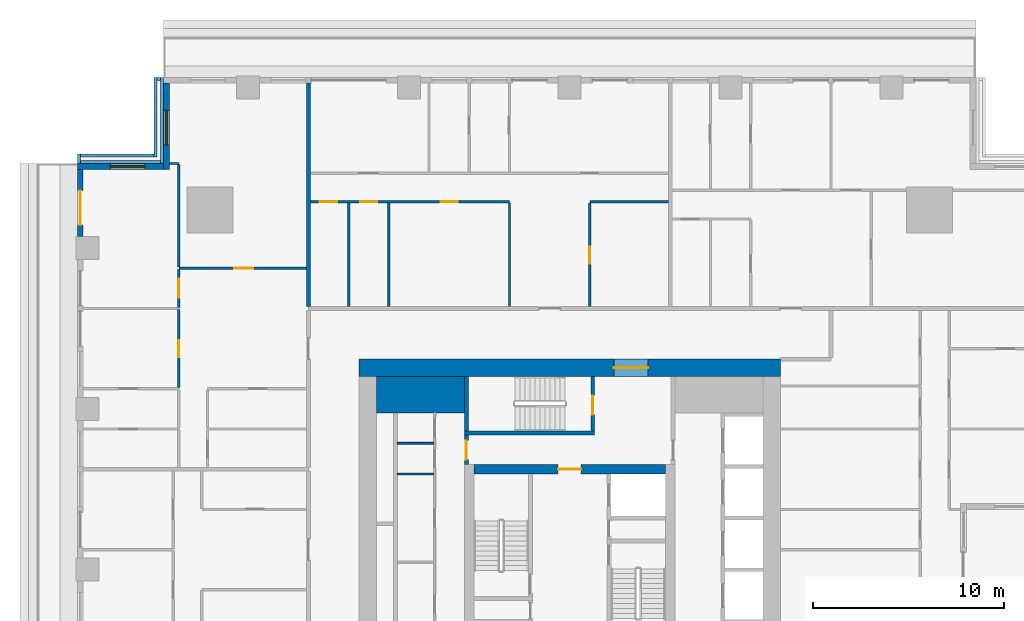
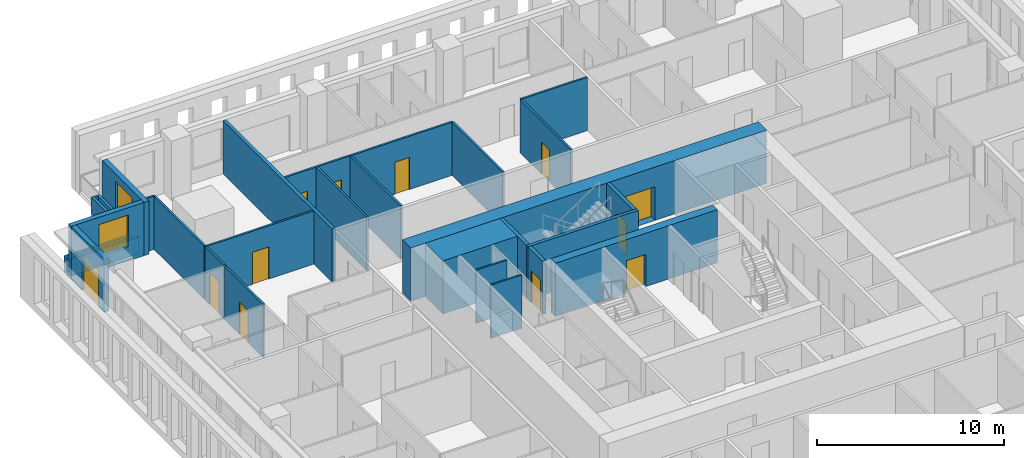
# One storey, part 8 of 17: 30 walls, 12 doors, 2 windows, 14 openings.
"""IFC4 building model written with IfcOpenShell, lengths in metres."""

from ifc_helpers import new_model, si_unit, direction, frame, frame_2d, origin, place, context, subcontext, project, spatial, rectangle, extrude, material, layer, layer_set, type_object, element, fill, save


model = new_model("IFC4")

# Units and contexts
model_context = context("Model", 3, precision=1e-05, world=origin(), true_north=direction((0.0, 1.0)))
body_context = subcontext(model_context, "Body", "Model", "MODEL_VIEW")
ifc_project = project(units=[si_unit("LENGTHUNIT", "METRE"), si_unit("AREAUNIT", "SQUARE_METRE"), si_unit("VOLUMEUNIT", "CUBIC_METRE"), si_unit("PLANEANGLEUNIT", "RADIAN"), si_unit("MASSUNIT", "GRAM", prefix="KILO")], contexts=[model_context])

# Site, building, storey
site_placement = place(None, origin())
site = spatial("IfcSite", under=ifc_project, at=site_placement, CompositionType="ELEMENT")
building_placement = place(site_placement, origin())
building = spatial("IfcBuilding", under=site, at=building_placement, Name="Khepri Terraces", CompositionType="ELEMENT")
storey_placement = place(building_placement, frame((0.0, 0.0, 188.39990234375)))
storey = spatial("IfcBuildingStorey", under=building, at=storey_placement, Name="L44", CompositionType="ELEMENT", Elevation=188.39990234375)

# Walls
ifc_material_1 = material(Name="Concrete C50/60", Category="concrete")
ifc_layer_1 = layer(ifc_material_1, 1.89990234375, Name="Concrete C50/60", Category="concrete")
ifc_layer_set_1 = layer_set([ifc_layer_1], Name="Concrete C50/60")
wall_type_1 = type_object("IfcWallType", Name="Core wall 1900 C50/60", PredefinedType="SHEAR", material=ifc_layer_set_1)
wall_1_placement = place(storey_placement, frame((-10.10009765625, 9.14990234375, 0.0), z_axis=(0.0, 0.0, 1.0), x_axis=(1.0, 0.0, 0.0)))
element("IfcWall", 1, at=wall_1_placement, inside=storey, type_object=wall_type_1, Name="Core wall PR03 L44", PredefinedType="SHEAR", context=body_context, shape_type="SweptSolid", body=[
    extrude(rectangle(XDim=4.60009765625, YDim=1.89990234375, at=frame_2d((2.300048828125, 0.0))), origin(), (0.0, 0.0, 1.0), 3.47998046875),
])
ifc_layer_2 = layer(ifc_material_1, 0.199951171875, Name="Concrete C50/60", Category="concrete")
ifc_layer_set_2 = layer_set([ifc_layer_2], Name="Concrete C50/60")
wall_type_2 = type_object("IfcWallType", Name="Core wall 200 C50/60", PredefinedType="SHEAR", material=ifc_layer_set_2)
wall_2_placement = place(storey_placement, frame((-5.5, 7.14990234375, 0.0), z_axis=(0.0, 0.0, 1.0), x_axis=(1.0, 0.0, 0.0)))
element("IfcWall", 2, at=wall_2_placement, inside=storey, type_object=wall_type_2, Name="Core wall ST05 L44", PredefinedType="SHEAR", context=body_context, shape_type="SweptSolid", body=[
    extrude(rectangle(XDim=6.800048828125, YDim=0.199951171875, at=frame_2d((3.39990234375, 0.0))), origin(), (0.0, 0.0, 1.0), 3.47998046875),
])
wall_3_placement = place(storey_placement, frame((-5.39990234375, 7.25, 0.0), z_axis=(0.0, 0.0, 1.0), x_axis=(0.0, 1.0, 0.0)))
element("IfcWall", 3, at=wall_3_placement, inside=storey, type_object=wall_type_2, Name="Core wall ST06 L44", PredefinedType="SHEAR", context=body_context, shape_type="SweptSolid", body=[
    extrude(rectangle(XDim=2.85009765625, YDim=0.199951171875, at=frame_2d((1.425048828125, 0.0))), origin(), (0.0, 0.0, 1.0), 3.47998046875),
])

# Wall, opening, door
wall_4_placement = place(storey_placement, frame((1.199951171875, 7.25, 0.0), z_axis=(0.0, 0.0, 1.0), x_axis=(0.0, 1.0, 0.0)))
wall_4 = element("IfcWall", 4, at=wall_4_placement, inside=storey, type_object=wall_type_2, Name="Core wall ST07 L44", PredefinedType="SHEAR", context=body_context, shape_type="SweptSolid", body=[
    extrude(rectangle(XDim=2.85009765625, YDim=0.199951171875, at=frame_2d((1.425048828125, 0.0))), origin(), (0.0, 0.0, 1.0), 3.47998046875),
])
opening_1_placement = place(wall_4_placement, frame((0.85009765625, 0.0, 0.0)))
opening_1 = element("IfcOpeningElement", 5, at=opening_1_placement, cuts=wall_4, Name="Opening L44-C15", PredefinedType="OPENING", context=body_context, shape_type="SweptSolid", body=[
    extrude(rectangle(XDim=1.0, YDim=2.10009765625, at=frame_2d((0.5, 1.050048828125))), frame((0.0, 0.10986328125, 0.0), z_axis=(0.0, -1.0, 0.0), x_axis=(1.0, 0.0, 0.0)), (0.0, 0.0, 1.0), 0.219970703125),
])
ifc_material_2 = material(Name="Painted steel", Category="steel")
door_type_1 = type_object("IfcDoorType", Name="DR-CORE-STAIR-1000", OperationType="NOTDEFINED", PredefinedType="DOOR", material=ifc_material_2)
door_1_placement = place(opening_1_placement, origin())
door_1 = element("IfcDoor", 6, at=door_1_placement, inside=storey, type_object=door_type_1, Name="Stair door L44-C15", OperationType="SINGLE_SWING_LEFT", OverallHeight=2.10009765625, OverallWidth=1.0, PredefinedType="DOOR", context=body_context, shape_type="SweptSolid", body=[
    extrude(rectangle(XDim=1.0, YDim=2.10009765625, at=frame_2d((0.5, 1.050048828125))), frame((0.0, 0.02490234375, 0.0), z_axis=(0.0, -1.0, 0.0), x_axis=(1.0, 0.0, 0.0)), (0.0, 0.0, 1.0), 0.050048828125),
])
fill(opening_1, door_1)

ifc_layer_3 = layer(ifc_material_1, 0.5, Name="Concrete C50/60", Category="concrete")
ifc_layer_set_3 = layer_set([ifc_layer_3], Name="Concrete C50/60")
wall_type_3 = type_object("IfcWallType", Name="Core wall 500 C50/60", PredefinedType="SHEAR", material=ifc_layer_set_3)
wall_5_placement = place(storey_placement, frame((-5.0, 5.25, 0.0), z_axis=(0.0, 0.0, 1.0), x_axis=(1.0, 0.0, 0.0)))
wall_5 = element("IfcWall", 7, at=wall_5_placement, inside=storey, type_object=wall_type_3, Name="Core wall BX04 L44", PredefinedType="SHEAR", context=body_context, shape_type="SweptSolid", body=[
    extrude(rectangle(XDim=10.0, YDim=0.5, at=frame_2d((5.0, 0.0))), origin(), (0.0, 0.0, 1.0), 3.47998046875),
])
opening_2_placement = place(wall_5_placement, frame((4.39990234375, 0.0, 0.0)))
opening_2 = element("IfcOpeningElement", 8, at=opening_2_placement, cuts=wall_5, Name="Opening L44-C13", PredefinedType="OPENING", context=body_context, shape_type="SweptSolid", body=[
    extrude(rectangle(XDim=1.199951171875, YDim=2.10009765625, at=frame_2d((0.60009765625, 1.050048828125))), frame((0.0, 0.260009765625, 0.0), z_axis=(0.0, -1.0, 0.0), x_axis=(1.0, 0.0, 0.0)), (0.0, 0.0, 1.0), 0.52001953125),
])
door_type_2 = type_object("IfcDoorType", Name="DR-CORE-FF-LOBBY-1200", OperationType="NOTDEFINED", PredefinedType="DOOR", material=ifc_material_2)
door_2_placement = place(opening_2_placement, frame((1.199951171875, 0.0, 0.0), z_axis=(0.0, 0.0, 1.0), x_axis=(-1.0, 0.0, 0.0)))
door_2 = element("IfcDoor", 9, at=door_2_placement, inside=storey, type_object=door_type_2, Name="Firefighting lobby door L44-C13", OperationType="SINGLE_SWING_LEFT", OverallHeight=2.10009765625, OverallWidth=1.199951171875, PredefinedType="DOOR", context=body_context, shape_type="SweptSolid", body=[
    extrude(rectangle(XDim=1.199951171875, YDim=2.10009765625, at=frame_2d((0.60009765625, 1.050048828125))), frame((0.0, 0.02490234375, 0.0), z_axis=(0.0, -1.0, 0.0), x_axis=(1.0, 0.0, 0.0)), (0.0, 0.0, 1.0), 0.050048828125),
])
fill(opening_2, door_2)

ifc_layer_4 = layer(ifc_material_1, 0.89990234375, Name="Concrete C50/60", Category="concrete")
ifc_layer_set_4 = layer_set([ifc_layer_4], Name="Concrete C50/60")
wall_type_4 = type_object("IfcWallType", Name="Core wall 900 C50/60", PredefinedType="SHEAR", material=ifc_layer_set_4)
wall_6_placement = place(storey_placement, frame((-11.0, 10.550048828125, 0.0), z_axis=(0.0, 0.0, 1.0), x_axis=(1.0, 0.0, 0.0)))
wall_6 = element("IfcWall", 10, at=wall_6_placement, inside=storey, type_object=wall_type_4, Name="Core wall OW-N L44", PredefinedType="SHEAR", context=body_context, shape_type="SweptSolid", body=[
    extrude(rectangle(XDim=22.0, YDim=0.89990234375, at=frame_2d((11.0, 0.0))), origin(), (0.0, 0.0, 1.0), 3.47998046875),
])
opening_3_placement = place(wall_6_placement, frame((13.300048828125, 0.0, 0.0)))
opening_3 = element("IfcOpeningElement", 11, at=opening_3_placement, cuts=wall_6, Name="Opening L44-C20", PredefinedType="OPENING", context=body_context, shape_type="SweptSolid", body=[
    extrude(rectangle(XDim=1.800048828125, YDim=2.199951171875, at=frame_2d((0.89990234375, 1.10009765625))), frame((0.0, 0.4599609375, 0.0), z_axis=(0.0, -1.0, 0.0), x_axis=(1.0, 0.0, 0.0)), (0.0, 0.0, 1.0), 0.919921875),
])
door_type_3 = type_object("IfcDoorType", Name="DR-CORE-ENTRANCE-1800", OperationType="NOTDEFINED", PredefinedType="DOOR", material=ifc_material_2)
door_3_placement = place(opening_3_placement, origin())
door_3 = element("IfcDoor", 12, at=door_3_placement, inside=storey, type_object=door_type_3, Name="Core entrance door pair L44-C20", OperationType="DOUBLE_DOOR_SINGLE_SWING", OverallHeight=2.199951171875, OverallWidth=1.800048828125, PredefinedType="DOOR", context=body_context, shape_type="SweptSolid", body=[
    extrude(rectangle(XDim=1.800048828125, YDim=2.199951171875, at=frame_2d((0.89990234375, 1.10009765625))), frame((0.0, 0.02490234375, 0.0), z_axis=(0.0, -1.0, 0.0), x_axis=(1.0, 0.0, 0.0)), (0.0, 0.0, 1.0), 0.050048828125),
])
fill(opening_3, door_3)

# Walls
ifc_material_3 = material(Name="Fire-rated gypsum board partition")
ifc_layer_5 = layer(ifc_material_3, 0.10009765625, Name="Fire-rated gypsum board partition")
ifc_layer_set_5 = layer_set([ifc_layer_5], Name="Fire-rated gypsum board partition")
wall_type_5 = type_object("IfcWallType", Name="WL-CORE-PART-100", PredefinedType="PARTITIONING", material=ifc_layer_set_5)
for number, where, z_axis, x_axis, name in (
    (13, (-9.0, 5.0, 0.0), (0.0, 0.0, 1.0), (1.0, 0.0, 0.0), "Core partition PT11 L44"),
    (14, (-9.0, 6.60009765625, 0.0), (0.0, 0.0, 1.0), (1.0, 0.0, 0.0), "Core partition PT14 L44"),
):
    element("IfcWall", number, at=place(storey_placement, frame(where, z_axis=z_axis, x_axis=x_axis)), inside=storey, type_object=wall_type_5, Name=name, PredefinedType="PARTITIONING", context=body_context, shape_type="SweptSolid", body=[
        extrude(rectangle(XDim=1.89990234375, YDim=0.10009765625, at=frame_2d((0.949951171875, 0.0))), origin(), (0.0, 0.0, 1.0), 3.47998046875),
    ])

# Wall, opening, door
ifc_layer_6 = layer(ifc_material_3, 0.199951171875, Name="Fire-rated gypsum board partition")
ifc_layer_set_6 = layer_set([ifc_layer_6], Name="Fire-rated gypsum board partition")
wall_type_6 = type_object("IfcWallType", Name="WL-CORE-PART-200", PredefinedType="PARTITIONING", material=ifc_layer_set_6)
wall_7_placement = place(storey_placement, frame((-5.39990234375, 5.5, 0.0), z_axis=(0.0, 0.0, 1.0), x_axis=(0.0, 1.0, 0.0)))
wall_7 = element("IfcWall", 15, at=wall_7_placement, inside=storey, type_object=wall_type_6, Name="Core partition PT12 L44", PredefinedType="PARTITIONING", context=body_context, shape_type="SweptSolid", body=[
    extrude(rectangle(XDim=1.550048828125, YDim=0.199951171875, at=frame_2d((0.77490234375, 0.0))), origin(), (0.0, 0.0, 1.0), 3.47998046875),
])
opening_4_placement = place(wall_7_placement, frame((0.25, 0.0, 0.0)))
opening_4 = element("IfcOpeningElement", 16, at=opening_4_placement, cuts=wall_7, Name="Opening L44-C16", PredefinedType="OPENING", context=body_context, shape_type="SweptSolid", body=[
    extrude(rectangle(XDim=1.0, YDim=2.10009765625, at=frame_2d((0.5, 1.050048828125))), frame((0.0, 0.10986328125, 0.0), z_axis=(0.0, -1.0, 0.0), x_axis=(1.0, 0.0, 0.0)), (0.0, 0.0, 1.0), 0.219970703125),
])
door_type_4 = type_object("IfcDoorType", Name="DR-CORE-LOBBY-1000", OperationType="NOTDEFINED", PredefinedType="DOOR", material=ifc_material_2)
door_4_placement = place(opening_4_placement, frame((1.0, 0.0, 0.0), z_axis=(0.0, 0.0, 1.0), x_axis=(-1.0, 0.0, 0.0)))
door_4 = element("IfcDoor", 17, at=door_4_placement, inside=storey, type_object=door_type_4, Name="Lobby door L44-C16", OperationType="SINGLE_SWING_RIGHT", OverallHeight=2.10009765625, OverallWidth=1.0, PredefinedType="DOOR", context=body_context, shape_type="SweptSolid", body=[
    extrude(rectangle(XDim=1.0, YDim=2.10009765625, at=frame_2d((0.5, 1.050048828125))), frame((0.0, 0.02490234375, 0.0), z_axis=(0.0, -1.0, 0.0), x_axis=(1.0, 0.0, 0.0)), (0.0, 0.0, 1.0), 0.050048828125),
])
fill(opening_4, door_4)

# Wall
ifc_material_4 = material(Name="Fire-rated gypsum plasterboard partition, mineral wool")
ifc_layer_7 = layer(ifc_material_4, 0.199951171875, Name="Fire-rated gypsum plasterboard partition, mineral wool")
ifc_layer_set_7 = layer_set([ifc_layer_7], Name="Fire-rated gypsum plasterboard partition, mineral wool")
wall_type_7 = type_object("IfcWallType", Name="WL-CORR-200", PredefinedType="PARTITIONING", material=ifc_layer_set_7)
wall_8_placement = place(storey_placement, frame((-13.64990234375, 13.75, 0.0), z_axis=(0.0, 0.0, 1.0), x_axis=(0.0, 1.0, 0.0)))
element("IfcWall", 18, at=wall_8_placement, inside=storey, type_object=wall_type_7, Name="Partition P-090 L44", PredefinedType="PARTITIONING", context=body_context, shape_type="SweptSolid", body=[
    extrude(rectangle(XDim=11.669921875, YDim=0.199951171875, at=frame_2d((5.8349609375, 0.0))), origin(), (0.0, 0.0, 1.0), 3.47998046875),
])

# Wall, opening, window
ifc_material_5 = material(Name="Precast concrete C50/60 warm stone", Category="masonry")
ifc_layer_8 = layer(ifc_material_5, 0.300048828125, Name="Precast concrete C50/60 warm stone", Category="masonry")
ifc_layer_set_8 = layer_set([ifc_layer_8], Name="Precast concrete C50/60 warm stone")
wall_type_8 = type_object("IfcWallType", Name="WL-EXT-PRECAST-300", PredefinedType="STANDARD", material=ifc_layer_set_8)
wall_9_placement = place(storey_placement, frame((-21.070068359375, 25.419921875, 0.0), z_axis=(0.0, 0.0, 1.0), x_axis=(0.0, -1.0, 0.0)))
wall_9 = element("IfcWall", 19, at=wall_9_placement, inside=storey, type_object=wall_type_8, Name="External wall L44 W", PredefinedType="STANDARD", context=body_context, shape_type="SweptSolid", body=[
    extrude(rectangle(XDim=4.5, YDim=0.300048828125, at=frame_2d((2.25, 0.0))), origin(), (0.0, 0.0, 1.0), 3.47998046875),
])
opening_5_placement = place(wall_9_placement, frame((1.419921875, 0.0, 0.89990234375)))
opening_5 = element("IfcOpeningElement", 20, at=opening_5_placement, cuts=wall_9, Name="Opening W1", PredefinedType="OPENING", context=body_context, shape_type="SweptSolid", body=[
    extrude(rectangle(XDim=1.800048828125, YDim=2.10009765625, at=frame_2d((0.89990234375, 1.050048828125))), frame((0.0, 0.16015625, 0.0), z_axis=(0.0, -1.0, 0.0), x_axis=(1.0, 0.0, 0.0)), (0.0, 0.0, 1.0), 0.320068359375),
])
ifc_material_6 = material(Name="Clear glass", Category="glass")
window_type = type_object("IfcWindowType", Name="WIN-RES-1800x2100", PartitioningType="SINGLE_PANEL", PredefinedType="WINDOW", material=ifc_material_6)
window_1_placement = place(opening_5_placement, origin())
window_1 = element("IfcWindow", 21, at=window_1_placement, inside=storey, type_object=window_type, Name="Window L44 W", OverallHeight=2.10009765625, OverallWidth=1.800048828125, PartitioningType="SINGLE_PANEL", PredefinedType="WINDOW", context=body_context, shape_type="SweptSolid", body=[
    extrude(rectangle(XDim=1.800048828125, YDim=2.10009765625, at=frame_2d((0.89990234375, 1.050048828125))), frame((0.0, 0.030029296875, 0.0), z_axis=(0.0, -1.0, 0.0), x_axis=(1.0, 0.0, 0.0)), (0.0, 0.0, 1.0), 0.06005859375),
])
fill(opening_5, window_1)

wall_10_placement = place(storey_placement, frame((-21.219970703125, 21.070068359375, 0.0), z_axis=(0.0, 0.0, 1.0), x_axis=(-1.0, 0.0, 0.0)))
wall_10 = element("IfcWall", 22, at=wall_10_placement, inside=storey, type_object=wall_type_8, Name="External wall L44 N", PredefinedType="STANDARD", context=body_context, shape_type="SweptSolid", body=[
    extrude(rectangle(XDim=4.5, YDim=0.300048828125, at=frame_2d((2.25, 0.0))), origin(), (0.0, 0.0, 1.0), 3.47998046875),
])
opening_6_placement = place(wall_10_placement, frame((0.97998046875, 0.0, 0.89990234375)))
opening_6 = element("IfcOpeningElement", 23, at=opening_6_placement, cuts=wall_10, Name="Opening W1", PredefinedType="OPENING", context=body_context, shape_type="SweptSolid", body=[
    extrude(rectangle(XDim=1.800048828125, YDim=2.10009765625, at=frame_2d((0.89990234375, 1.050048828125))), frame((0.0, 0.16015625, 0.0), z_axis=(0.0, -1.0, 0.0), x_axis=(1.0, 0.0, 0.0)), (0.0, 0.0, 1.0), 0.320068359375),
])
window_2_placement = place(opening_6_placement, origin())
window_2 = element("IfcWindow", 24, at=window_2_placement, inside=storey, type_object=window_type, Name="Window L44 N", OverallHeight=2.10009765625, OverallWidth=1.800048828125, PartitioningType="SINGLE_PANEL", PredefinedType="WINDOW", context=body_context, shape_type="SweptSolid", body=[
    extrude(rectangle(XDim=1.800048828125, YDim=2.10009765625, at=frame_2d((0.89990234375, 1.050048828125))), frame((0.0, 0.030029296875, 0.0), z_axis=(0.0, -1.0, 0.0), x_axis=(1.0, 0.0, 0.0)), (0.0, 0.0, 1.0), 0.06005859375),
])
fill(opening_6, window_2)

# Wall, opening, door
wall_11_placement = place(storey_placement, frame((-25.570068359375, 20.919921875, 0.0), z_axis=(0.0, 0.0, 1.0), x_axis=(0.0, -1.0, 0.0)))
wall_11 = element("IfcWall", 25, at=wall_11_placement, inside=storey, type_object=wall_type_8, Name="External wall L44 W", PredefinedType="STANDARD", context=body_context, shape_type="SweptSolid", body=[
    extrude(rectangle(XDim=3.52001953125, YDim=0.300048828125, at=frame_2d((1.760009765625, 0.0))), origin(), (0.0, 0.0, 1.0), 3.47998046875),
])
opening_7_placement = place(wall_11_placement, frame((1.1201171875, 0.0, 0.0)))
opening_7 = element("IfcOpeningElement", 26, at=opening_7_placement, cuts=wall_11, Name="Opening ED-L44-12", PredefinedType="OPENING", context=body_context, shape_type="SweptSolid", body=[
    extrude(rectangle(XDim=1.800048828125, YDim=2.39990234375, at=frame_2d((0.89990234375, 1.199951171875))), frame((0.0, 0.16015625, 0.0), z_axis=(0.0, -1.0, 0.0), x_axis=(1.0, 0.0, 0.0)), (0.0, 0.0, 1.0), 0.320068359375),
])
ifc_material_7 = material(Name="Anodised aluminium bronze glazed door", Category="aluminium")
door_type_5 = type_object("IfcDoorType", Name="DR-BAL-SLIDE-1800x2400", OperationType="NOTDEFINED", PredefinedType="DOOR", material=ifc_material_7)
door_5_placement = place(opening_7_placement, origin())
door_5 = element("IfcDoor", 27, at=door_5_placement, inside=storey, type_object=door_type_5, Name="Balcony door L44 W", OperationType="SLIDING_TO_RIGHT", OverallHeight=2.39990234375, OverallWidth=1.800048828125, PredefinedType="DOOR", context=body_context, shape_type="SweptSolid", body=[
    extrude(rectangle(XDim=1.800048828125, YDim=2.39990234375, at=frame_2d((0.89990234375, 1.199951171875))), frame((0.0, 0.02490234375, 0.0), z_axis=(0.0, -1.0, 0.0), x_axis=(1.0, 0.0, 0.0)), (0.0, 0.0, 1.0), 0.050048828125),
])
fill(opening_7, door_5)

# Walls
ifc_layer_9 = layer(ifc_material_5, 0.14990234375, Name="Precast concrete C50/60 warm stone", Category="masonry")
ifc_layer_set_9 = layer_set([ifc_layer_9], Name="Precast concrete C50/60 warm stone")
wall_type_9 = type_object("IfcWallType", Name="WL-PARAPET-150", PredefinedType="PARAPET", material=ifc_layer_set_9)
wall_12_placement = place(storey_placement, frame((-25.64501953125, 21.219970703125, 0.0), z_axis=(0.0, 0.0, 1.0), x_axis=(0.0, 1.0, 0.0)))
element("IfcWall", 28, at=wall_12_placement, inside=storey, type_object=wall_type_9, Name="Ledge parapet L44", PredefinedType="PARAPET", context=body_context, shape_type="SweptSolid", body=[
    extrude(rectangle(XDim=0.5, YDim=0.14990234375, at=frame_2d((0.25, 0.0))), origin(), (0.0, 0.0, 1.0), 1.10009765625),
])
wall_13_placement = place(storey_placement, frame((-25.570068359375, 21.64501953125, 0.0), z_axis=(0.0, 0.0, 1.0), x_axis=(1.0, 0.0, 0.0)))
element("IfcWall", 29, at=wall_13_placement, inside=storey, type_object=wall_type_9, Name="Ledge parapet L44", PredefinedType="PARAPET", context=body_context, shape_type="SweptSolid", body=[
    extrude(rectangle(XDim=3.85009765625, YDim=0.14990234375, at=frame_2d((1.925048828125, 0.0))), origin(), (0.0, 0.0, 1.0), 1.10009765625),
])
wall_14_placement = place(storey_placement, frame((-25.570068359375, 21.294921875, 0.0), z_axis=(0.0, 0.0, 1.0), x_axis=(1.0, 0.0, 0.0)))
element("IfcWall", 30, at=wall_14_placement, inside=storey, type_object=wall_type_9, Name="Ledge parapet L44", PredefinedType="PARAPET", context=body_context, shape_type="SweptSolid", body=[
    extrude(rectangle(XDim=4.199951171875, YDim=0.14990234375, at=frame_2d((2.10009765625, 0.0))), origin(), (0.0, 0.0, 1.0), 1.10009765625),
])
wall_15_placement = place(storey_placement, frame((-21.64501953125, 21.570068359375, 0.0), z_axis=(0.0, 0.0, 1.0), x_axis=(0.0, 1.0, 0.0)))
element("IfcWall", 31, at=wall_15_placement, inside=storey, type_object=wall_type_9, Name="Ledge parapet L44", PredefinedType="PARAPET", context=body_context, shape_type="SweptSolid", body=[
    extrude(rectangle(XDim=4.14990234375, YDim=0.14990234375, at=frame_2d((2.074951171875, 0.0))), origin(), (0.0, 0.0, 1.0), 1.10009765625),
])
wall_16_placement = place(storey_placement, frame((-21.570068359375, 25.64501953125, 0.0), z_axis=(0.0, 0.0, 1.0), x_axis=(1.0, 0.0, 0.0)))
element("IfcWall", 32, at=wall_16_placement, inside=storey, type_object=wall_type_9, Name="Ledge parapet L44", PredefinedType="PARAPET", context=body_context, shape_type="SweptSolid", body=[
    extrude(rectangle(XDim=0.199951171875, YDim=0.14990234375, at=frame_2d((0.10009765625, 0.0))), origin(), (0.0, 0.0, 1.0), 1.10009765625),
])
wall_17_placement = place(storey_placement, frame((-21.294921875, 21.219970703125, 0.0), z_axis=(0.0, 0.0, 1.0), x_axis=(0.0, 1.0, 0.0)))
element("IfcWall", 33, at=wall_17_placement, inside=storey, type_object=wall_type_9, Name="Ledge parapet L44", PredefinedType="PARAPET", context=body_context, shape_type="SweptSolid", body=[
    extrude(rectangle(XDim=4.5, YDim=0.14990234375, at=frame_2d((2.25, 0.0))), origin(), (0.0, 0.0, 1.0), 1.10009765625),
])

# Wall, opening, door
ifc_material_8 = material(Name="Gypsum plasterboard partition")
ifc_layer_10 = layer(ifc_material_8, 0.1201171875, Name="Gypsum plasterboard partition")
ifc_layer_set_10 = layer_set([ifc_layer_10], Name="Gypsum plasterboard partition")
wall_type_10 = type_object("IfcWallType", Name="WL-PART-120", PredefinedType="PARTITIONING", material=ifc_layer_set_10)
wall_18_placement = place(storey_placement, frame((-20.419921875, 9.510009765625, 0.0), z_axis=(0.0, 0.0, 1.0), x_axis=(0.0, 1.0, 0.0)))
wall_18 = element("IfcWall", 34, at=wall_18_placement, inside=storey, type_object=wall_type_10, Name="Partition P-080 L44", PredefinedType="PARTITIONING", context=body_context, shape_type="SweptSolid", body=[
    extrude(rectangle(XDim=4.080078125, YDim=0.1201171875, at=frame_2d((2.0400390625, 0.0))), origin(), (0.0, 0.0, 1.0), 3.47998046875),
])
opening_8_placement = place(wall_18_placement, frame((1.590087890625, 0.0, 0.0)))
opening_8 = element("IfcOpeningElement", 35, at=opening_8_placement, cuts=wall_18, Name="Opening D3", PredefinedType="OPENING", context=body_context, shape_type="SweptSolid", body=[
    extrude(rectangle(XDim=0.89990234375, YDim=2.10009765625, at=frame_2d((0.449951171875, 1.050048828125))), frame((0.0, 0.070068359375, 0.0), z_axis=(0.0, -1.0, 0.0), x_axis=(1.0, 0.0, 0.0)), (0.0, 0.0, 1.0), 0.14013671875),
])
ifc_material_9 = material(Name="Timber door leaf", Category="wood")
door_type_6 = type_object("IfcDoorType", Name="DR-INT-900", OperationType="NOTDEFINED", PredefinedType="DOOR", material=ifc_material_9)
door_6_placement = place(opening_8_placement, origin())
door_6 = element("IfcDoor", 36, at=door_6_placement, inside=storey, type_object=door_type_6, Name="Door Master Bedroom", OperationType="SINGLE_SWING_RIGHT", OverallHeight=2.10009765625, OverallWidth=0.89990234375, PredefinedType="DOOR", context=body_context, shape_type="SweptSolid", body=[
    extrude(rectangle(XDim=0.89990234375, YDim=2.10009765625, at=frame_2d((0.449951171875, 1.050048828125))), frame((0.0, 0.02490234375, 0.0), z_axis=(0.0, -1.0, 0.0), x_axis=(1.0, 0.0, 0.0)), (0.0, 0.0, 1.0), 0.050048828125),
])
fill(opening_8, door_6)

wall_19_placement = place(storey_placement, frame((-20.419921875, 13.7099609375, 0.0), z_axis=(0.0, 0.0, 1.0), x_axis=(0.0, 1.0, 0.0)))
wall_19 = element("IfcWall", 37, at=wall_19_placement, inside=storey, type_object=wall_type_10, Name="Partition P-089 L44", PredefinedType="PARTITIONING", context=body_context, shape_type="SweptSolid", body=[
    extrude(rectangle(XDim=1.97998046875, YDim=0.1201171875, at=frame_2d((0.989990234375, 0.0))), origin(), (0.0, 0.0, 1.0), 3.47998046875),
])
opening_9_placement = place(wall_19_placement, frame((0.489990234375, 0.0, 0.0)))
opening_9 = element("IfcOpeningElement", 38, at=opening_9_placement, cuts=wall_19, Name="Opening D2", PredefinedType="OPENING", context=body_context, shape_type="SweptSolid", body=[
    extrude(rectangle(XDim=1.0, YDim=2.10009765625, at=frame_2d((0.5, 1.050048828125))), frame((0.0, 0.070068359375, 0.0), z_axis=(0.0, -1.0, 0.0), x_axis=(1.0, 0.0, 0.0)), (0.0, 0.0, 1.0), 0.14013671875),
])
ifc_material_10 = material(Name="Timber door leaf, living room door", Category="wood")
door_type_7 = type_object("IfcDoorType", Name="DR-INT-1000", OperationType="NOTDEFINED", PredefinedType="DOOR", material=ifc_material_10)
door_7_placement = place(opening_9_placement, origin())
door_7 = element("IfcDoor", 39, at=door_7_placement, inside=storey, type_object=door_type_7, Name="Door Living Room", OperationType="SINGLE_SWING_LEFT", OverallHeight=2.10009765625, OverallWidth=1.0, PredefinedType="DOOR", context=body_context, shape_type="SweptSolid", body=[
    extrude(rectangle(XDim=1.0, YDim=2.10009765625, at=frame_2d((0.5, 1.050048828125))), frame((0.0, 0.02490234375, 0.0), z_axis=(0.0, -1.0, 0.0), x_axis=(1.0, 0.0, 0.0)), (0.0, 0.0, 1.0), 0.050048828125),
])
fill(opening_9, door_7)

# Walls
for number, where, z_axis, x_axis, name in (
    (40, (-11.550048828125, 13.75, 0.0), (0.0, 0.0, 1.0), (0.0, 1.0, 0.0), "Partition P-091 L44"),
    (41, (-9.449951171875, 13.75, 0.0), (0.0, 0.0, 1.0), (0.0, 1.0, 0.0), "Partition P-092 L44"),
    (42, (-3.14990234375, 13.75, 0.0), (0.0, 0.0, 1.0), (0.0, 1.0, 0.0), "Partition P-093 L44"),
):
    element("IfcWall", number, at=place(storey_placement, frame(where, z_axis=z_axis, x_axis=x_axis)), inside=storey, type_object=wall_type_10, Name=name, PredefinedType="PARTITIONING", context=body_context, shape_type="SweptSolid", body=[
        extrude(rectangle(XDim=5.409912109375, YDim=0.1201171875, at=frame_2d((2.705078125, 0.0))), origin(), (0.0, 0.0, 1.0), 3.47998046875),
    ])

# Wall, opening, door
wall_20_placement = place(storey_placement, frame((1.050048828125, 13.75, 0.0), z_axis=(0.0, 0.0, 1.0), x_axis=(0.0, 1.0, 0.0)))
wall_20 = element("IfcWall", 43, at=wall_20_placement, inside=storey, type_object=wall_type_10, Name="Partition P-094 L44", PredefinedType="PARTITIONING", context=body_context, shape_type="SweptSolid", body=[
    extrude(rectangle(XDim=5.409912109375, YDim=0.1201171875, at=frame_2d((2.705078125, 0.0))), origin(), (0.0, 0.0, 1.0), 3.47998046875),
])
opening_10_placement = place(wall_20_placement, frame((2.235107421875, 0.0, 0.0)))
opening_10 = element("IfcOpeningElement", 44, at=opening_10_placement, cuts=wall_20, Name="Opening D3", PredefinedType="OPENING", context=body_context, shape_type="SweptSolid", body=[
    extrude(rectangle(XDim=0.89990234375, YDim=2.10009765625, at=frame_2d((0.449951171875, 1.050048828125))), frame((0.0, 0.070068359375, 0.0), z_axis=(0.0, -1.0, 0.0), x_axis=(1.0, 0.0, 0.0)), (0.0, 0.0, 1.0), 0.14013671875),
])
door_8_placement = place(opening_10_placement, frame((0.89990234375, 0.0, 0.0), z_axis=(0.0, 0.0, 1.0), x_axis=(-1.0, 0.0, 0.0)))
door_8 = element("IfcDoor", 45, at=door_8_placement, inside=storey, type_object=door_type_6, Name="Door Utility Room", OperationType="SINGLE_SWING_RIGHT", OverallHeight=2.10009765625, OverallWidth=0.89990234375, PredefinedType="DOOR", context=body_context, shape_type="SweptSolid", body=[
    extrude(rectangle(XDim=0.89990234375, YDim=2.10009765625, at=frame_2d((0.449951171875, 1.050048828125))), frame((0.0, 0.02490234375, 0.0), z_axis=(0.0, -1.0, 0.0), x_axis=(1.0, 0.0, 0.0)), (0.0, 0.0, 1.0), 0.050048828125),
])
fill(opening_10, door_8)

wall_21_placement = place(storey_placement, frame((-20.419921875, 15.75, 0.0), z_axis=(0.0, 0.0, 1.0), x_axis=(1.0, 0.0, 0.0)))
wall_21 = element("IfcWall", 46, at=wall_21_placement, inside=storey, type_object=wall_type_10, Name="Partition P-099 L44", PredefinedType="PARTITIONING", context=body_context, shape_type="SweptSolid", body=[
    extrude(rectangle(XDim=6.669921875, YDim=0.1201171875, at=frame_2d((3.3349609375, 0.0))), origin(), (0.0, 0.0, 1.0), 3.47998046875),
])
opening_11_placement = place(wall_21_placement, frame((2.885009765625, 0.0, 0.0)))
opening_11 = element("IfcOpeningElement", 47, at=opening_11_placement, cuts=wall_21, Name="Opening D2", PredefinedType="OPENING", context=body_context, shape_type="SweptSolid", body=[
    extrude(rectangle(XDim=1.0, YDim=2.10009765625, at=frame_2d((0.5, 1.050048828125))), frame((0.0, 0.070068359375, 0.0), z_axis=(0.0, -1.0, 0.0), x_axis=(1.0, 0.0, 0.0)), (0.0, 0.0, 1.0), 0.14013671875),
])
door_9_placement = place(opening_11_placement, origin())
door_9 = element("IfcDoor", 48, at=door_9_placement, inside=storey, type_object=door_type_7, Name="Door Family Room", OperationType="SINGLE_SWING_RIGHT", OverallHeight=2.10009765625, OverallWidth=1.0, PredefinedType="DOOR", context=body_context, shape_type="SweptSolid", body=[
    extrude(rectangle(XDim=1.0, YDim=2.10009765625, at=frame_2d((0.5, 1.050048828125))), frame((0.0, 0.02490234375, 0.0), z_axis=(0.0, -1.0, 0.0), x_axis=(1.0, 0.0, 0.0)), (0.0, 0.0, 1.0), 0.050048828125),
])
fill(opening_11, door_9)

# Wall
wall_22_placement = place(storey_placement, frame((-20.419921875, 15.81005859375, 0.0), z_axis=(0.0, 0.0, 1.0), x_axis=(0.0, 1.0, 0.0)))
element("IfcWall", 49, at=wall_22_placement, inside=storey, type_object=wall_type_10, Name="Partition P-100 L44", PredefinedType="PARTITIONING", context=body_context, shape_type="SweptSolid", body=[
    extrude(rectangle(XDim=5.348876953125, YDim=0.1201171875, at=frame_2d((2.67431640625, 0.0))), origin(), (0.0, 0.0, 1.0), 3.47998046875),
])

# Wall, openings, doors
wall_23_placement = place(storey_placement, frame((-13.550048828125, 19.219970703125, 0.0), z_axis=(0.0, 0.0, 1.0), x_axis=(1.0, 0.0, 0.0)))
wall_23 = element("IfcWall", 50, at=wall_23_placement, inside=storey, type_object=wall_type_10, Name="Partition P-102 L44", PredefinedType="PARTITIONING", context=body_context, shape_type="SweptSolid", body=[
    extrude(rectangle(XDim=10.400146484375, YDim=0.1201171875, at=frame_2d((5.2001953125, 0.0))), origin(), (0.0, 0.0, 1.0), 3.47998046875),
])
opening_12_placement = place(wall_23_placement, frame((6.800048828125, 0.0, 0.0)))
opening_12 = element("IfcOpeningElement", 51, at=opening_12_placement, cuts=wall_23, Name="Opening D3", PredefinedType="OPENING", context=body_context, shape_type="SweptSolid", body=[
    extrude(rectangle(XDim=0.89990234375, YDim=2.10009765625, at=frame_2d((0.449951171875, 1.050048828125))), frame((0.0, 0.070068359375, 0.0), z_axis=(0.0, -1.0, 0.0), x_axis=(1.0, 0.0, 0.0)), (0.0, 0.0, 1.0), 0.14013671875),
])
opening_13_placement = place(wall_23_placement, frame((2.60009765625, 0.0, 0.0)))
opening_13 = element("IfcOpeningElement", 52, at=opening_13_placement, cuts=wall_23, Name="Opening D4", PredefinedType="OPENING", context=body_context, shape_type="SweptSolid", body=[
    extrude(rectangle(XDim=0.89990234375, YDim=2.10009765625, at=frame_2d((0.449951171875, 1.050048828125))), frame((0.0, 0.070068359375, 0.0), z_axis=(0.0, -1.0, 0.0), x_axis=(1.0, 0.0, 0.0)), (0.0, 0.0, 1.0), 0.14013671875),
])
opening_14_placement = place(wall_23_placement, frame((0.5, 0.0, 0.0)))
opening_14 = element("IfcOpeningElement", 53, at=opening_14_placement, cuts=wall_23, Name="Opening D3", PredefinedType="OPENING", context=body_context, shape_type="SweptSolid", body=[
    extrude(rectangle(XDim=0.89990234375, YDim=2.10009765625, at=frame_2d((0.449951171875, 1.050048828125))), frame((0.0, 0.070068359375, 0.0), z_axis=(0.0, -1.0, 0.0), x_axis=(1.0, 0.0, 0.0)), (0.0, 0.0, 1.0), 0.14013671875),
])
door_10_placement = place(opening_12_placement, frame((0.89990234375, 0.0, 0.0), z_axis=(0.0, 0.0, 1.0), x_axis=(-1.0, 0.0, 0.0)))
door_10 = element("IfcDoor", 54, at=door_10_placement, inside=storey, type_object=door_type_6, Name="Door Kitchen", OperationType="SINGLE_SWING_LEFT", OverallHeight=2.10009765625, OverallWidth=0.89990234375, PredefinedType="DOOR", context=body_context, shape_type="SweptSolid", body=[
    extrude(rectangle(XDim=0.89990234375, YDim=2.10009765625, at=frame_2d((0.449951171875, 1.050048828125))), frame((0.0, 0.02490234375, 0.0), z_axis=(0.0, -1.0, 0.0), x_axis=(1.0, 0.0, 0.0)), (0.0, 0.0, 1.0), 0.050048828125),
])
fill(opening_12, door_10)
door_11_placement = place(opening_14_placement, frame((0.89990234375, 0.0, 0.0), z_axis=(0.0, 0.0, 1.0), x_axis=(-1.0, 0.0, 0.0)))
door_11 = element("IfcDoor", 55, at=door_11_placement, inside=storey, type_object=door_type_6, Name="Door Utility Room", OperationType="SINGLE_SWING_RIGHT", OverallHeight=2.10009765625, OverallWidth=0.89990234375, PredefinedType="DOOR", context=body_context, shape_type="SweptSolid", body=[
    extrude(rectangle(XDim=0.89990234375, YDim=2.10009765625, at=frame_2d((0.449951171875, 1.050048828125))), frame((0.0, 0.02490234375, 0.0), z_axis=(0.0, -1.0, 0.0), x_axis=(1.0, 0.0, 0.0)), (0.0, 0.0, 1.0), 0.050048828125),
])
fill(opening_14, door_11)
ifc_material_11 = material(Name="Timber door leaf, moisture resistant", Category="wood")
door_type_8 = type_object("IfcDoorType", Name="DR-WET-900", OperationType="NOTDEFINED", PredefinedType="DOOR", material=ifc_material_11)
door_12_placement = place(opening_13_placement, frame((0.89990234375, 0.0, 0.0), z_axis=(0.0, 0.0, 1.0), x_axis=(-1.0, 0.0, 0.0)))
door_12 = element("IfcDoor", 56, at=door_12_placement, inside=storey, type_object=door_type_8, Name="Door Guest Bathroom", OperationType="SINGLE_SWING_RIGHT", OverallHeight=2.10009765625, OverallWidth=0.89990234375, PredefinedType="DOOR", context=body_context, shape_type="SweptSolid", body=[
    extrude(rectangle(XDim=0.89990234375, YDim=2.10009765625, at=frame_2d((0.449951171875, 1.050048828125))), frame((0.0, 0.02490234375, 0.0), z_axis=(0.0, -1.0, 0.0), x_axis=(1.0, 0.0, 0.0)), (0.0, 0.0, 1.0), 0.050048828125),
])
fill(opening_13, door_12)

# Walls
wall_24_placement = place(storey_placement, frame((1.050048828125, 19.219970703125, 0.0), z_axis=(0.0, 0.0, 1.0), x_axis=(1.0, 0.0, 0.0)))
element("IfcWall", 57, at=wall_24_placement, inside=storey, type_object=wall_type_10, Name="Partition P-103 L44", PredefinedType="PARTITIONING", context=body_context, shape_type="SweptSolid", body=[
    extrude(rectangle(XDim=4.099853515625, YDim=0.1201171875, at=frame_2d((2.0498046875, 0.0))), origin(), (0.0, 0.0, 1.0), 3.47998046875),
])
wall_25_placement = place(storey_placement, frame((-20.9208984375, 21.218994140625, 0.0), z_axis=(0.0, 0.0, 1.0), x_axis=(1.0, 0.0, 0.0)))
element("IfcWall", 58, at=wall_25_placement, inside=storey, type_object=wall_type_10, Name="Partition P-113 L44", PredefinedType="PARTITIONING", context=body_context, shape_type="SweptSolid", body=[
    extrude(rectangle(XDim=0.5009765625, YDim=0.1201171875, at=frame_2d((0.25048828125, 0.0))), origin(), (0.0, 0.0, 1.0), 3.47998046875),
])

save(model, "model.ifc")
